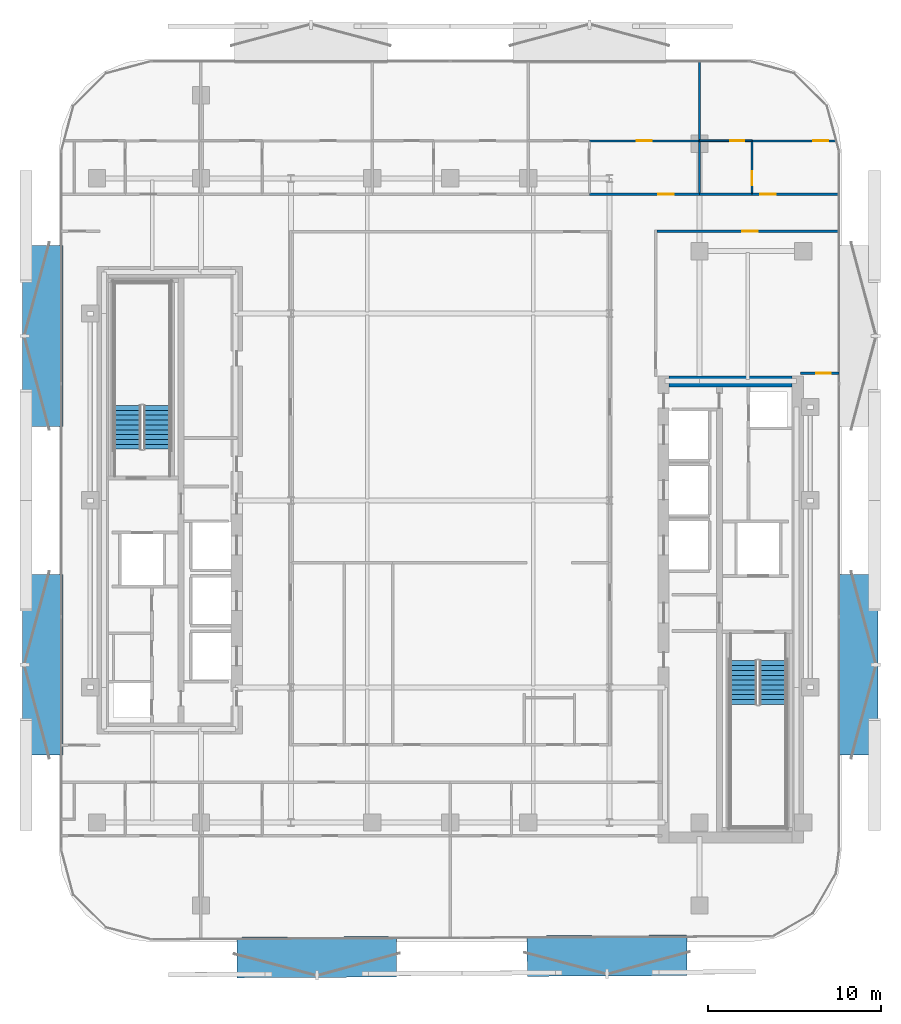
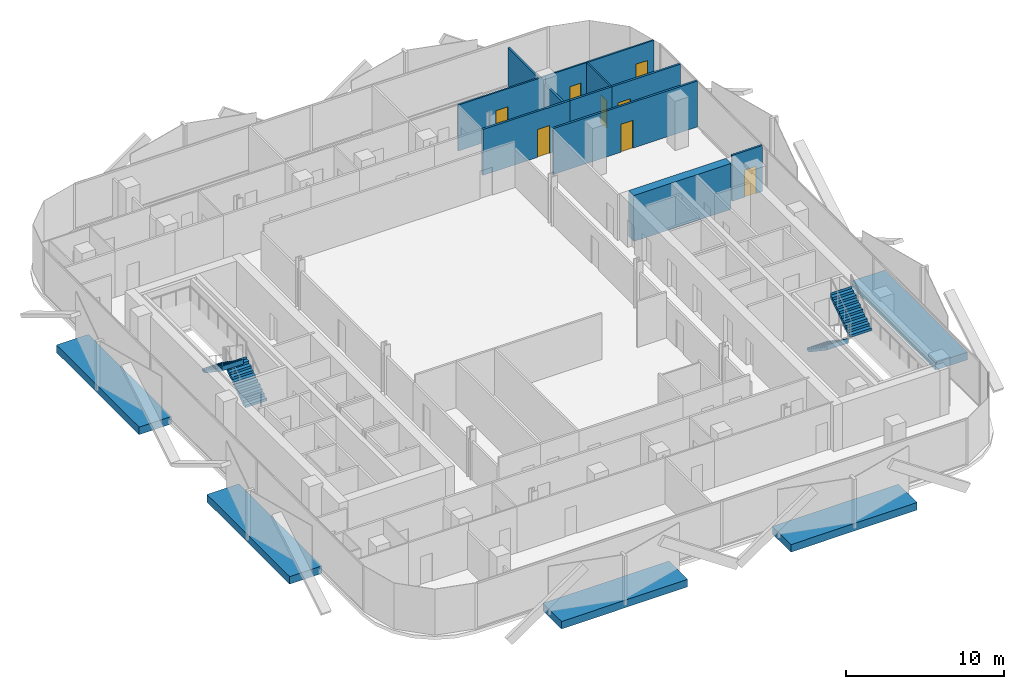
# One storey, part 7 of 17: 12 walls, 8 doors, 5 discrete accessories, 4 stair flights, 8 openings, 2 elements without a shape of their own.
"""IFC4 building model written with IfcOpenShell, lengths in metres."""

from ifc_helpers import new_model, si_unit, direction, frame, frame_2d, origin, origin_2d, place, context, subcontext, project, spatial, polyline, rectangle, outline, extrude, material, layer, layer_set, type_object, element, fill, aggregate, save


model = new_model("IFC4")

# Units and contexts
model_context = context("Model", 3, precision=1e-05, world=origin(), true_north=direction((0.0, 1.0)))
body_context = subcontext(model_context, "Body", "Model", "MODEL_VIEW")
ifc_project = project(units=[si_unit("LENGTHUNIT", "METRE"), si_unit("AREAUNIT", "SQUARE_METRE"), si_unit("VOLUMEUNIT", "CUBIC_METRE"), si_unit("PLANEANGLEUNIT", "RADIAN"), si_unit("MASSUNIT", "GRAM", prefix="KILO")], contexts=[model_context])

# Site, building, storey
site_placement = place(None, origin())
site = spatial("IfcSite", under=ifc_project, at=site_placement, CompositionType="ELEMENT")
building_placement = place(site_placement, origin())
building = spatial("IfcBuilding", under=site, at=building_placement, Name="Khairoan Windgate Tower", CompositionType="ELEMENT")
storey_placement = place(building_placement, frame((0.0, 0.0, 172.60009765625)))
storey = spatial("IfcBuildingStorey", under=building, at=storey_placement, Name="L39", CompositionType="ELEMENT", Elevation=172.60009765625)

# Wall, opening, door
ifc_material_1 = material(Name="Moisture-Resistant Gypsum Partition", Category="gypsum")
ifc_layer_1 = layer(ifc_material_1, 0.10009765625, Name="Moisture-Resistant Gypsum Partition")
ifc_layer_set_1 = layer_set([ifc_layer_1], Name="Moisture-Resistant Gypsum Partition")
wall_type_1 = type_object("IfcWallType", Name="Bathroom Wet-Area Partition Wall", PredefinedType="PARTITIONING", material=ifc_layer_set_1)
wall_1_placement = place(storey_placement, frame((17.43603515625, 17.7548828125, 0.0), z_axis=(0.0, 0.0, 1.0), x_axis=(0.0, 1.0, 0.0)))
wall_1 = element("IfcWall", 1, at=wall_1_placement, inside=storey, type_object=wall_type_1, Name="L39 Interior Partition 068", PredefinedType="PARTITIONING", context=body_context, shape_type="SweptSolid", body=[
    extrude(rectangle(XDim=2.965087890625, YDim=0.10009765625, at=frame_2d((1.482421875, 0.0))), origin(), (0.0, 0.0, 1.0), 3.539794921875),
])
opening_1_placement = place(wall_1_placement, frame((0.4599609375, 0.0, 0.0)))
opening_1 = element("IfcOpeningElement", 2, at=opening_1_placement, cuts=wall_1, Name="Opening ID-BTH", PredefinedType="OPENING", context=body_context, shape_type="SweptSolid", body=[
    extrude(rectangle(XDim=0.800048828125, YDim=2.10009765625, at=frame_2d((0.39990234375, 1.050048828125))), frame((0.0, 0.06005859375, 0.0), z_axis=(0.0, -1.0, 0.0), x_axis=(1.0, 0.0, 0.0)), (0.0, 0.0, 1.0), 0.1201171875),
])
ifc_material_2 = material(Name="Teak Veneer Timber Leaf", Category="wood")
door_type_1 = type_object("IfcDoorType", Name="Internal Bathroom Door ID-BTH 800x2100", OperationType="NOTDEFINED", PredefinedType="DOOR", material=ifc_material_2)
door_1_placement = place(opening_1_placement, origin())
door_1 = element("IfcDoor", 3, at=door_1_placement, inside=storey, type_object=door_type_1, Name="L39 L39-49-L39-50 Door", OperationType="SINGLE_SWING_LEFT", OverallHeight=2.10009765625, OverallWidth=0.800048828125, PredefinedType="DOOR", context=body_context, shape_type="SweptSolid", body=[
    extrude(rectangle(XDim=0.800048828125, YDim=2.10009765625, at=frame_2d((0.39990234375, 1.050048828125))), frame((0.0, 0.02490234375, 0.0), z_axis=(0.0, -1.0, 0.0), x_axis=(1.0, 0.0, 0.0)), (0.0, 0.0, 1.0), 0.050048828125),
])
fill(opening_1, door_1)

wall_2_placement = place(storey_placement, frame((14.39990234375, 20.77001953125, 0.0), z_axis=(0.0, 0.0, 1.0), x_axis=(1.0, 0.0, 0.0)))
wall_2 = element("IfcWall", 4, at=wall_2_placement, inside=storey, type_object=wall_type_1, Name="L39 Interior Partition 069", PredefinedType="PARTITIONING", context=body_context, shape_type="SweptSolid", body=[
    extrude(rectangle(XDim=3.0361328125, YDim=0.10009765625, at=frame_2d((1.51806640625, 0.0))), origin(), (0.0, 0.0, 1.0), 3.539794921875),
])
opening_2_placement = place(wall_2_placement, frame((1.77587890625, 0.0, 0.0)))
opening_2 = element("IfcOpeningElement", 5, at=opening_2_placement, cuts=wall_2, Name="Opening ID-BTH", PredefinedType="OPENING", context=body_context, shape_type="SweptSolid", body=[
    extrude(rectangle(XDim=0.800048828125, YDim=2.10009765625, at=frame_2d((0.39990234375, 1.050048828125))), frame((0.0, 0.06005859375, 0.0), z_axis=(0.0, -1.0, 0.0), x_axis=(1.0, 0.0, 0.0)), (0.0, 0.0, 1.0), 0.1201171875),
])
door_2_placement = place(opening_2_placement, origin())
door_2 = element("IfcDoor", 6, at=door_2_placement, inside=storey, type_object=door_type_1, Name="L39 L39-49-L39-51 Door", OperationType="SINGLE_SWING_RIGHT", OverallHeight=2.10009765625, OverallWidth=0.800048828125, PredefinedType="DOOR", context=body_context, shape_type="SweptSolid", body=[
    extrude(rectangle(XDim=0.800048828125, YDim=2.10009765625, at=frame_2d((0.39990234375, 1.050048828125))), frame((0.0, 0.02490234375, 0.0), z_axis=(0.0, -1.0, 0.0), x_axis=(1.0, 0.0, 0.0)), (0.0, 0.0, 1.0), 0.050048828125),
])
fill(opening_2, door_2)

# Walls
ifc_material_3 = material(Name="Acoustic Fire-Rated Gypsum Partition", Category="gypsum")
ifc_layer_2 = layer(ifc_material_3, 0.139892578125, Name="Acoustic Fire-Rated Gypsum Partition")
ifc_layer_set_2 = layer_set([ifc_layer_2], Name="Acoustic Fire-Rated Gypsum Partition")
wall_type_2 = type_object("IfcWallType", Name="Inter-Tenancy Compartment Wall", PredefinedType="PARTITIONING", material=ifc_layer_set_2)
wall_3_placement = place(storey_placement, frame((14.39990234375, 17.7548828125, 0.0), z_axis=(0.0, 0.0, 1.0), x_axis=(0.0, 1.0, 0.0)))
element("IfcWall", 7, at=wall_3_placement, inside=storey, type_object=wall_type_2, Name="L39 Interior Partition 066", PredefinedType="PARTITIONING", context=body_context, shape_type="SweptSolid", body=[
    extrude(rectangle(XDim=3.01513671875, YDim=0.139892578125, at=frame_2d((1.507568359375, 0.0))), origin(), (0.0, 0.0, 1.0), 2.951904296875),
])
wall_4_placement = place(storey_placement, frame((14.39990234375, 20.77001953125, 0.0), z_axis=(0.0, 0.0, 1.0), x_axis=(0.0, 1.0, 0.0)))
element("IfcWall", 8, at=wall_4_placement, inside=storey, type_object=wall_type_2, Name="L39 Interior Partition 067", PredefinedType="PARTITIONING", context=body_context, shape_type="SweptSolid", body=[
    extrude(rectangle(XDim=4.5849609375, YDim=0.139892578125, at=frame_2d((2.29248046875, 0.0))), origin(), (0.0, 0.0, 1.0), 2.951904296875),
])

# Wall, opening, door
wall_5_placement = place(storey_placement, frame((20.239990234375, 7.340087890625, 0.0), z_axis=(0.0, 0.0, 1.0), x_axis=(1.0, 0.0, 0.0)))
wall_5 = element("IfcWall", 9, at=wall_5_placement, inside=storey, type_object=wall_type_2, Name="L39 Interior Partition 084", PredefinedType="PARTITIONING", context=body_context, shape_type="SweptSolid", body=[
    extrude(rectangle(XDim=2.215087890625, YDim=0.139892578125, at=frame_2d((1.107421875, 0.0))), origin(), (0.0, 0.0, 1.0), 3.539794921875),
])
opening_3_placement = place(wall_5_placement, frame((0.905029296875, 0.0, 0.0)))
opening_3 = element("IfcOpeningElement", 10, at=opening_3_placement, cuts=wall_5, Name="Opening FD-SRV", PredefinedType="OPENING", context=body_context, shape_type="SweptSolid", body=[
    extrude(rectangle(XDim=0.85009765625, YDim=2.10009765625, at=frame_2d((0.425048828125, 1.050048828125))), frame((0.0, 0.079833984375, 0.0), z_axis=(0.0, -1.0, 0.0), x_axis=(1.0, 0.0, 0.0)), (0.0, 0.0, 1.0), 0.159912109375),
])
ifc_material_4 = material(Name="Steel S355", Category="steel")
door_type_2 = type_object("IfcDoorType", Name="Core Service and Riser Fire Door FD-SRV 850x2100", OperationType="NOTDEFINED", PredefinedType="DOOR", material=ifc_material_4)
door_3_placement = place(opening_3_placement, origin())
door_3 = element("IfcDoor", 11, at=door_3_placement, inside=storey, type_object=door_type_2, Name="L39 L39-61-L39-63 Door", OperationType="SINGLE_SWING_LEFT", OverallHeight=2.10009765625, OverallWidth=0.85009765625, PredefinedType="DOOR", context=body_context, shape_type="SweptSolid", body=[
    extrude(rectangle(XDim=0.85009765625, YDim=2.10009765625, at=frame_2d((0.425048828125, 1.050048828125))), frame((0.0, 0.02490234375, 0.0), z_axis=(0.0, -1.0, 0.0), x_axis=(1.0, 0.0, 0.0)), (0.0, 0.0, 1.0), 0.050048828125),
])
fill(opening_3, door_3)

ifc_material_5 = material(Name="Gypsum Stud Partition", Category="gypsum")
ifc_layer_3 = layer(ifc_material_5, 0.1201171875, Name="Gypsum Stud Partition")
ifc_layer_set_3 = layer_set([ifc_layer_3], Name="Gypsum Stud Partition")
wall_type_3 = type_object("IfcWallType", Name="Internal Room Partition Wall", PredefinedType="PARTITIONING", material=ifc_layer_set_3)
wall_6_placement = place(storey_placement, frame((8.0400390625, 20.77001953125, 0.0), z_axis=(0.0, 0.0, 1.0), x_axis=(1.0, 0.0, 0.0)))
wall_6 = element("IfcWall", 12, at=wall_6_placement, inside=storey, type_object=wall_type_3, Name="L39 Interior Partition 065", PredefinedType="PARTITIONING", context=body_context, shape_type="SweptSolid", body=[
    extrude(rectangle(XDim=6.35986328125, YDim=0.1201171875, at=frame_2d((3.179931640625, 0.0))), origin(), (0.0, 0.0, 1.0), 3.539794921875),
])
opening_4_placement = place(wall_6_placement, frame((2.75, 0.0, 0.0)))
opening_4 = element("IfcOpeningElement", 13, at=opening_4_placement, cuts=wall_6, Name="Opening ID-RM", PredefinedType="OPENING", context=body_context, shape_type="SweptSolid", body=[
    extrude(rectangle(XDim=0.860107421875, YDim=2.14990234375, at=frame_2d((0.43017578125, 1.074951171875))), frame((0.0, 0.070068359375, 0.0), z_axis=(0.0, -1.0, 0.0), x_axis=(1.0, 0.0, 0.0)), (0.0, 0.0, 1.0), 0.14013671875),
])
ifc_material_6 = material(Name="Teak Veneer Timber Leaf", Category="wood")
door_type_3 = type_object("IfcDoorType", Name="Internal Bedroom and Office Door ID-RM 860x2150", OperationType="NOTDEFINED", PredefinedType="DOOR", material=ifc_material_6)
door_4_placement = place(opening_4_placement, origin())
door_4 = element("IfcDoor", 14, at=door_4_placement, inside=storey, type_object=door_type_3, Name="L39 L39-47-L39-48 Door", OperationType="SINGLE_SWING_RIGHT", OverallHeight=2.14990234375, OverallWidth=0.860107421875, PredefinedType="DOOR", context=body_context, shape_type="SweptSolid", body=[
    extrude(rectangle(XDim=0.860107421875, YDim=2.14990234375, at=frame_2d((0.43017578125, 1.074951171875))), frame((0.0, 0.02490234375, 0.0), z_axis=(0.0, -1.0, 0.0), x_axis=(1.0, 0.0, 0.0)), (0.0, 0.0, 1.0), 0.050048828125),
])
fill(opening_4, door_4)

wall_7_placement = place(storey_placement, frame((17.43603515625, 20.77001953125, 0.0), z_axis=(0.0, 0.0, 1.0), x_axis=(1.0, 0.0, 0.0)))
wall_7 = element("IfcWall", 15, at=wall_7_placement, inside=storey, type_object=wall_type_3, Name="L39 Interior Partition 070", PredefinedType="PARTITIONING", context=body_context, shape_type="SweptSolid", body=[
    extrude(rectangle(XDim=4.864013671875, YDim=0.1201171875, at=frame_2d((2.43212890625, 0.0))), origin(), (0.0, 0.0, 1.0), 3.539794921875),
])
opening_5_placement = place(wall_7_placement, frame((3.544189453125, 0.0, 0.0)))
opening_5 = element("IfcOpeningElement", 16, at=opening_5_placement, cuts=wall_7, Name="Opening ID-RM", PredefinedType="OPENING", context=body_context, shape_type="SweptSolid", body=[
    extrude(rectangle(XDim=0.860107421875, YDim=2.14990234375, at=frame_2d((0.43017578125, 1.074951171875))), frame((0.0, 0.070068359375, 0.0), z_axis=(0.0, -1.0, 0.0), x_axis=(1.0, 0.0, 0.0)), (0.0, 0.0, 1.0), 0.14013671875),
])
door_5_placement = place(opening_5_placement, origin())
door_5 = element("IfcDoor", 17, at=door_5_placement, inside=storey, type_object=door_type_3, Name="L39 L39-50-L39-51 Door", OperationType="SINGLE_SWING_LEFT", OverallHeight=2.14990234375, OverallWidth=0.860107421875, PredefinedType="DOOR", context=body_context, shape_type="SweptSolid", body=[
    extrude(rectangle(XDim=0.860107421875, YDim=2.14990234375, at=frame_2d((0.43017578125, 1.074951171875))), frame((0.0, 0.02490234375, 0.0), z_axis=(0.0, -1.0, 0.0), x_axis=(1.0, 0.0, 0.0)), (0.0, 0.0, 1.0), 0.050048828125),
])
fill(opening_5, door_5)

ifc_material_7 = material(Name="Acoustic Fire-Rated Gypsum Partition", Category="gypsum")
ifc_layer_4 = layer(ifc_material_7, 0.14990234375, Name="Acoustic Fire-Rated Gypsum Partition")
ifc_layer_set_4 = layer_set([ifc_layer_4], Name="Acoustic Fire-Rated Gypsum Partition")
wall_type_4 = type_object("IfcWallType", Name="Rated Corridor Partition Wall", PredefinedType="PARTITIONING", material=ifc_layer_set_4)
wall_8_placement = place(storey_placement, frame((8.0400390625, 17.679931640625, 0.0), z_axis=(0.0, 0.0, 1.0), x_axis=(1.0, 0.0, 0.0)))
wall_8 = element("IfcWall", 18, at=wall_8_placement, inside=storey, type_object=wall_type_4, Name="L39 Interior Partition 023", PredefinedType="PARTITIONING", context=body_context, shape_type="SweptSolid", body=[
    extrude(rectangle(XDim=6.35986328125, YDim=0.14990234375, at=frame_2d((3.179931640625, 0.0))), origin(), (0.0, 0.0, 1.0), 3.539794921875),
])
opening_6_placement = place(wall_8_placement, frame((3.96826171875, 0.0, 0.0)))
opening_6 = element("IfcOpeningElement", 19, at=opening_6_placement, cuts=wall_8, Name="Opening FD-ENT", PredefinedType="OPENING", context=body_context, shape_type="SweptSolid", body=[
    extrude(rectangle(XDim=0.89990234375, YDim=2.14990234375, at=frame_2d((0.449951171875, 1.074951171875))), frame((0.0, 0.0849609375, 0.0), z_axis=(0.0, -1.0, 0.0), x_axis=(1.0, 0.0, 0.0)), (0.0, 0.0, 1.0), 0.169921875),
])
ifc_material_8 = material(Name="Timber Fire-Rated Core", Category="wood")
door_type_4 = type_object("IfcDoorType", Name="Unit and Office Fire Entrance Door FD-ENT 900x2150", OperationType="NOTDEFINED", PredefinedType="DOOR", material=ifc_material_8)
door_6_placement = place(opening_6_placement, origin())
door_6 = element("IfcDoor", 20, at=door_6_placement, inside=storey, type_object=door_type_4, Name="L39 L39-29-L39-47 Door", OperationType="SINGLE_SWING_RIGHT", OverallHeight=2.14990234375, OverallWidth=0.89990234375, PredefinedType="DOOR", context=body_context, shape_type="SweptSolid", body=[
    extrude(rectangle(XDim=0.89990234375, YDim=2.14990234375, at=frame_2d((0.449951171875, 1.074951171875))), frame((0.0, 0.02490234375, 0.0), z_axis=(0.0, -1.0, 0.0), x_axis=(1.0, 0.0, 0.0)), (0.0, 0.0, 1.0), 0.050048828125),
])
fill(opening_6, door_6)

# Wall
wall_9_placement = place(storey_placement, frame((14.39990234375, 17.679931640625, 0.0), z_axis=(0.0, 0.0, 1.0), x_axis=(1.0, 0.0, 0.0)))
element("IfcWall", 21, at=wall_9_placement, inside=storey, type_object=wall_type_4, Name="L39 Interior Partition 024", PredefinedType="PARTITIONING", context=body_context, shape_type="SweptSolid", body=[
    extrude(rectangle(XDim=3.0361328125, YDim=0.14990234375, at=frame_2d((1.51806640625, 0.0))), origin(), (0.0, 0.0, 1.0), 3.539794921875),
])

# Wall, opening, door
wall_10_placement = place(storey_placement, frame((17.43603515625, 17.679931640625, 0.0), z_axis=(0.0, 0.0, 1.0), x_axis=(1.0, 0.0, 0.0)))
wall_10 = element("IfcWall", 22, at=wall_10_placement, inside=storey, type_object=wall_type_4, Name="L39 Interior Partition 025", PredefinedType="PARTITIONING", context=body_context, shape_type="SweptSolid", body=[
    extrude(rectangle(XDim=5.01904296875, YDim=0.14990234375, at=frame_2d((2.509521484375, 0.0))), origin(), (0.0, 0.0, 1.0), 3.539794921875),
])
opening_7_placement = place(wall_10_placement, frame((0.4599609375, 0.0, 0.0)))
opening_7 = element("IfcOpeningElement", 23, at=opening_7_placement, cuts=wall_10, Name="Opening FD-ENT", PredefinedType="OPENING", context=body_context, shape_type="SweptSolid", body=[
    extrude(rectangle(XDim=0.89990234375, YDim=2.14990234375, at=frame_2d((0.449951171875, 1.074951171875))), frame((0.0, 0.0849609375, 0.0), z_axis=(0.0, -1.0, 0.0), x_axis=(1.0, 0.0, 0.0)), (0.0, 0.0, 1.0), 0.169921875),
])
door_7_placement = place(opening_7_placement, origin())
door_7 = element("IfcDoor", 24, at=door_7_placement, inside=storey, type_object=door_type_4, Name="L39 L39-29-L39-50 Door", OperationType="SINGLE_SWING_LEFT", OverallHeight=2.14990234375, OverallWidth=0.89990234375, PredefinedType="DOOR", context=body_context, shape_type="SweptSolid", body=[
    extrude(rectangle(XDim=0.89990234375, YDim=2.14990234375, at=frame_2d((0.449951171875, 1.074951171875))), frame((0.0, 0.02490234375, 0.0), z_axis=(0.0, -1.0, 0.0), x_axis=(1.0, 0.0, 0.0)), (0.0, 0.0, 1.0), 0.050048828125),
])
fill(opening_7, door_7)

wall_11_placement = place(storey_placement, frame((11.955078125, 15.5400390625, 0.0), z_axis=(0.0, 0.0, 1.0), x_axis=(1.0, 0.0, 0.0)))
wall_11 = element("IfcWall", 25, at=wall_11_placement, inside=storey, type_object=wall_type_4, Name="L39 Interior Partition 026", PredefinedType="PARTITIONING", context=body_context, shape_type="SweptSolid", body=[
    extrude(rectangle(XDim=10.5, YDim=0.14990234375, at=frame_2d((5.25, 0.0))), origin(), (0.0, 0.0, 1.0), 3.539794921875),
])
opening_8_placement = place(wall_11_placement, frame((4.90087890625, 0.0, 0.0)))
opening_8 = element("IfcOpeningElement", 26, at=opening_8_placement, cuts=wall_11, Name="Opening FD-ENT", PredefinedType="OPENING", context=body_context, shape_type="SweptSolid", body=[
    extrude(rectangle(XDim=0.89990234375, YDim=2.14990234375, at=frame_2d((0.449951171875, 1.074951171875))), frame((0.0, 0.0849609375, 0.0), z_axis=(0.0, -1.0, 0.0), x_axis=(1.0, 0.0, 0.0)), (0.0, 0.0, 1.0), 0.169921875),
])
door_8_placement = place(opening_8_placement, origin())
door_8 = element("IfcDoor", 27, at=door_8_placement, inside=storey, type_object=door_type_4, Name="L39 L39-29-L39-61 Door", OperationType="SINGLE_SWING_RIGHT", OverallHeight=2.14990234375, OverallWidth=0.89990234375, PredefinedType="DOOR", context=body_context, shape_type="SweptSolid", body=[
    extrude(rectangle(XDim=0.89990234375, YDim=2.14990234375, at=frame_2d((0.449951171875, 1.074951171875))), frame((0.0, 0.02490234375, 0.0), z_axis=(0.0, -1.0, 0.0), x_axis=(1.0, 0.0, 0.0)), (0.0, 0.0, 1.0), 0.050048828125),
])
fill(opening_8, door_8)

# Wall
ifc_material_9 = material(Name="Concrete C60/75", Category="concrete")
ifc_layer_5 = layer(ifc_material_9, 0.64990234375, Name="Concrete C60/75")
ifc_layer_set_5 = layer_set([ifc_layer_5], Name="Concrete C60/75")
wall_type_5 = type_object("IfcWallType", Name="Shear Wall CW-E2 650mm", PredefinedType="SHEAR", material=ifc_layer_set_5)
wall_12_placement = place(storey_placement, frame((12.64990234375, 6.875, 0.0), z_axis=(0.0, 0.0, 1.0), x_axis=(1.0, 0.0, 0.0)))
element("IfcWall", 28, at=wall_12_placement, inside=storey, type_object=wall_type_5, Name="E Core North Shear Wall L39", PredefinedType="SHEAR", context=body_context, shape_type="SweptSolid", body=[
    extrude(rectangle(XDim=7.10009765625, YDim=0.64990234375, at=frame_2d((3.550048828125, 0.0))), origin(), (0.0, 0.0, 1.0), 3.539794921875),
])

# Stair, stair flights
ifc_material_10 = material(Name="Concrete C40/50", Category="concrete")
stair_type = type_object("IfcStairType", Name="Tower Core Dog-Leg Stair ST-T1 1560mm", PredefinedType="HALF_TURN_STAIR", material=ifc_material_10)
stair_1_placement = place(storey_placement, origin())
stair_1 = element("IfcStair", 29, at=stair_1_placement, inside=storey, type_object=stair_type, Name="L39 Stair ST1", PredefinedType="HALF_TURN_STAIR")
ifc_material_11 = material(Name="Concrete C40/50", Category="concrete")
ifc_layer_6 = layer(ifc_material_11, 0.14990234375, Name="Concrete C40/50")
ifc_layer_set_6 = layer_set([ifc_layer_6], Name="Concrete C40/50")
stair_flight_type = type_object("IfcStairFlightType", Name="Tower Core Stair Flight STF-1560", PredefinedType="STRAIGHT", material=ifc_layer_set_6)
stair_flight_1_placement = place(storey_placement, frame((16.929931640625, -9.260009765625, 0.0), z_axis=(0.0, 0.0, 1.0), x_axis=(0.0, -1.0, 0.0)))
stair_flight_1 = element("IfcStairFlight", 30, at=stair_flight_1_placement, type_object=stair_flight_type, Name="ST1 flight 1", NumberOfRisers=10, NumberOfTreads=9, PredefinedType="STRAIGHT", RiserHeight=0.19, TreadLength=0.28, context=body_context, shape_type="SweptSolid", body=[
    extrude(outline(polyline([(-0.00390625, 0.0), (-0.00390625, 0.18994140625), (0.0, 0.18994140625), (0.280029296875, 0.18994140625), (0.280029296875, 0.3798828125), (0.56005859375, 0.3798828125), (0.56005859375, 0.570068359375), (0.840087890625, 0.570068359375), (0.840087890625, 0.760009765625), (1.1201171875, 0.760009765625), (1.1201171875, 0.949951171875), (1.39990234375, 0.949951171875), (1.39990234375, 1.139892578125), (1.679931640625, 1.139892578125), (1.679931640625, 1.330078125), (1.9599609375, 1.330078125), (1.9599609375, 1.52001953125), (2.239990234375, 1.52001953125), (2.239990234375, 1.7099609375), (2.52001953125, 1.7099609375), (2.52001953125, 1.89990234375), (2.52392578125, 1.89990234375), (2.52392578125, 1.52880859375), (0.266845703125, 0.0), (-0.00390625, 0.0)])), frame((0.0, 0.780029296875, 0.0), z_axis=(0.0, -1.0, 0.0), x_axis=(1.0, 0.0, 0.0)), (0.0, 0.0, 1.0), 1.56005859375),
])
stair_flight_2_placement = place(storey_placement, frame((18.639892578125, -11.780029296875, 1.89990234375), z_axis=(0.0, 0.0, 1.0), x_axis=(0.0, 1.0, 0.0)))
stair_flight_2 = element("IfcStairFlight", 31, at=stair_flight_2_placement, type_object=stair_flight_type, Name="ST1 flight 2", NumberOfRisers=10, NumberOfTreads=9, PredefinedType="STRAIGHT", RiserHeight=0.19, TreadLength=0.28, context=body_context, shape_type="SweptSolid", body=[
    extrude(outline(polyline([(-0.00390625, 0.0), (-0.00390625, 0.18994140625), (0.0, 0.18994140625), (0.280029296875, 0.18994140625), (0.280029296875, 0.3798828125), (0.56005859375, 0.3798828125), (0.56005859375, 0.570068359375), (0.840087890625, 0.570068359375), (0.840087890625, 0.760009765625), (1.1201171875, 0.760009765625), (1.1201171875, 0.949951171875), (1.39990234375, 0.949951171875), (1.39990234375, 1.139892578125), (1.679931640625, 1.139892578125), (1.679931640625, 1.330078125), (1.9599609375, 1.330078125), (1.9599609375, 1.52001953125), (2.239990234375, 1.52001953125), (2.239990234375, 1.7099609375), (2.52001953125, 1.7099609375), (2.52001953125, 1.89990234375), (2.52392578125, 1.89990234375), (2.52392578125, 1.52880859375), (0.266845703125, 0.0), (-0.00390625, 0.0)])), frame((0.0, 0.780029296875, 0.0), z_axis=(0.0, -1.0, 0.0), x_axis=(1.0, 0.0, 0.0)), (0.0, 0.0, 1.0), 1.56005859375),
])
aggregate(stair_1, [stair_flight_1, stair_flight_2])

stair_2_placement = place(storey_placement, origin())
stair_2 = element("IfcStair", 32, at=stair_2_placement, inside=storey, type_object=stair_type, Name="L39 Stair ST2", PredefinedType="HALF_TURN_STAIR")
stair_flight_3_placement = place(storey_placement, frame((-16.929931640625, 2.9599609375, 0.0), z_axis=(0.0, 0.0, 1.0), x_axis=(0.0, 1.0, 0.0)))
stair_flight_3 = element("IfcStairFlight", 33, at=stair_flight_3_placement, type_object=stair_flight_type, Name="ST2 flight 1", NumberOfRisers=10, NumberOfTreads=9, PredefinedType="STRAIGHT", RiserHeight=0.19, TreadLength=0.28, context=body_context, shape_type="SweptSolid", body=[
    extrude(outline(polyline([(-0.00390625, 0.0), (-0.00390625, 0.18994140625), (0.0, 0.18994140625), (0.280029296875, 0.18994140625), (0.280029296875, 0.3798828125), (0.56005859375, 0.3798828125), (0.56005859375, 0.570068359375), (0.840087890625, 0.570068359375), (0.840087890625, 0.760009765625), (1.1201171875, 0.760009765625), (1.1201171875, 0.949951171875), (1.39990234375, 0.949951171875), (1.39990234375, 1.139892578125), (1.679931640625, 1.139892578125), (1.679931640625, 1.330078125), (1.9599609375, 1.330078125), (1.9599609375, 1.52001953125), (2.239990234375, 1.52001953125), (2.239990234375, 1.7099609375), (2.52001953125, 1.7099609375), (2.52001953125, 1.89990234375), (2.52392578125, 1.89990234375), (2.52392578125, 1.52880859375), (0.266845703125, 0.0), (-0.00390625, 0.0)])), frame((0.0, 0.780029296875, 0.0), z_axis=(0.0, -1.0, 0.0), x_axis=(1.0, 0.0, 0.0)), (0.0, 0.0, 1.0), 1.56005859375),
])
stair_flight_4_placement = place(storey_placement, frame((-18.639892578125, 5.47998046875, 1.89990234375), z_axis=(0.0, 0.0, 1.0), x_axis=(0.0, -1.0, 0.0)))
stair_flight_4 = element("IfcStairFlight", 34, at=stair_flight_4_placement, type_object=stair_flight_type, Name="ST2 flight 2", NumberOfRisers=10, NumberOfTreads=9, PredefinedType="STRAIGHT", RiserHeight=0.19, TreadLength=0.28, context=body_context, shape_type="SweptSolid", body=[
    extrude(outline(polyline([(-0.00390625, 0.0), (-0.00390625, 0.18994140625), (0.0, 0.18994140625), (0.280029296875, 0.18994140625), (0.280029296875, 0.3798828125), (0.56005859375, 0.3798828125), (0.56005859375, 0.570068359375), (0.840087890625, 0.570068359375), (0.840087890625, 0.760009765625), (1.1201171875, 0.760009765625), (1.1201171875, 0.949951171875), (1.39990234375, 0.949951171875), (1.39990234375, 1.139892578125), (1.679931640625, 1.139892578125), (1.679931640625, 1.330078125), (1.9599609375, 1.330078125), (1.9599609375, 1.52001953125), (2.239990234375, 1.52001953125), (2.239990234375, 1.7099609375), (2.52001953125, 1.7099609375), (2.52001953125, 1.89990234375), (2.52392578125, 1.89990234375), (2.52392578125, 1.52880859375), (0.266845703125, 0.0), (-0.00390625, 0.0)])), frame((0.0, 0.780029296875, 0.0), z_axis=(0.0, -1.0, 0.0), x_axis=(1.0, 0.0, 0.0)), (0.0, 0.0, 1.0), 1.56005859375),
])
aggregate(stair_2, [stair_flight_3, stair_flight_4])

# Discrete accessories
ifc_material_12 = material(Name="Steel S355", Category="steel")
discrete_accessory_type = type_object("IfcDiscreteAccessoryType", Name="Solar Screen Outrigger Slab Bracket SSB-1", PredefinedType="BRACKET", material=ifc_material_12)
for number, where, z_axis, x_axis, name in (
    (35, (9.05908203125, -26.30029296875, -0.420166015625), (0.0, 0.0, 1.0), (-0.999988059021, -0.004886902454, 0.0), "L39 Solar Screen Outrigger Bracket 249"),
    (36, (-7.7041015625, -26.3828125, -0.420166015625), (0.0, 0.0, 1.0), (-0.999988059021, -0.004886902454, 0.0), "L39 Solar Screen Outrigger Bracket 250"),
):
    element("IfcDiscreteAccessory", number, at=place(storey_placement, frame(where, z_axis=z_axis, x_axis=x_axis)), inside=storey, type_object=discrete_accessory_type, Name=name, PredefinedType="BRACKET", context=body_context, shape_type="SweptSolid", body=[
        extrude(rectangle(XDim=9.219970703125, YDim=2.340087890625, at=origin_2d()), origin(), (0.0, 0.0, 1.0), 0.580078125),
    ])
for number, where, z_axis, x_axis, name in (
    (37, (-23.530029296875, -9.495361328125, -0.420166015625), (0.0, 0.0, 1.0), (0.0, 1.0, 0.0), "L39 Solar Screen Outrigger Bracket 251"),
    (38, (-23.530029296875, 9.495361328125, -0.420166015625), (0.0, 0.0, 1.0), (0.0, 1.0, 0.0), "L39 Solar Screen Outrigger Bracket 252"),
    (39, (23.530029296875, -9.495361328125, -0.420166015625), (0.0, 0.0, 1.0), (0.0, -1.0, 0.0), "L39 Solar Screen Outrigger Bracket 256"),
):
    element("IfcDiscreteAccessory", number, at=place(storey_placement, frame(where, z_axis=z_axis, x_axis=x_axis)), inside=storey, type_object=discrete_accessory_type, Name=name, PredefinedType="BRACKET", context=body_context, shape_type="SweptSolid", body=[
        extrude(rectangle(XDim=10.445068359375, YDim=2.340087890625, at=origin_2d()), origin(), (0.0, 0.0, 1.0), 0.580078125),
    ])

save(model, "model.ifc")
